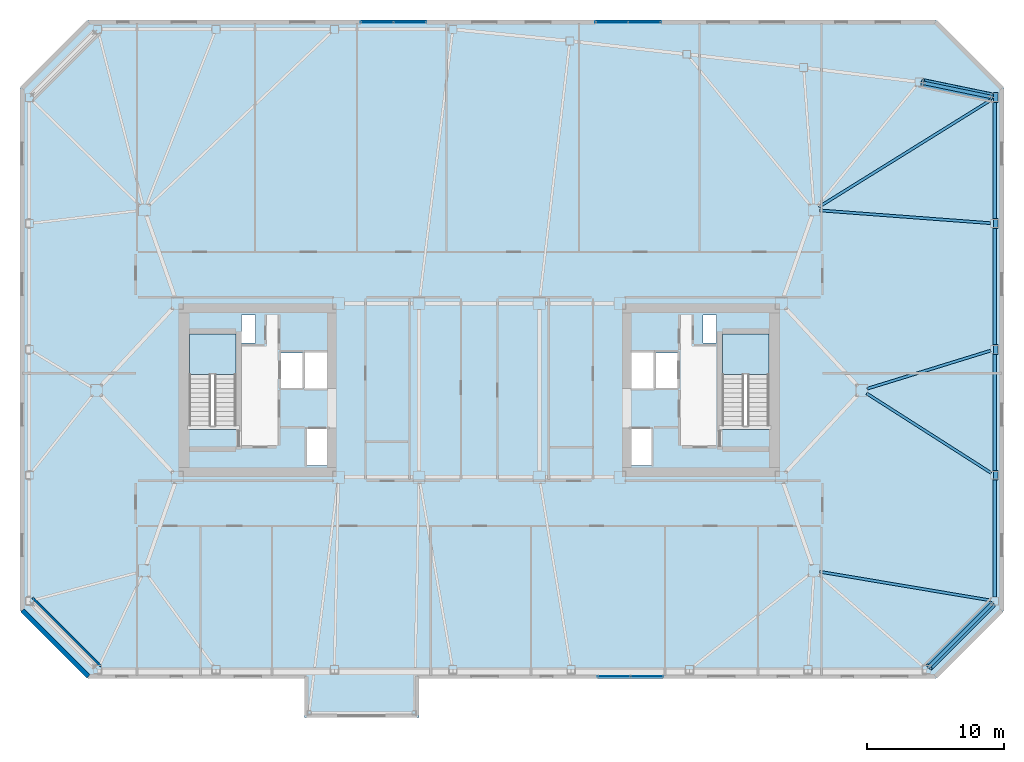
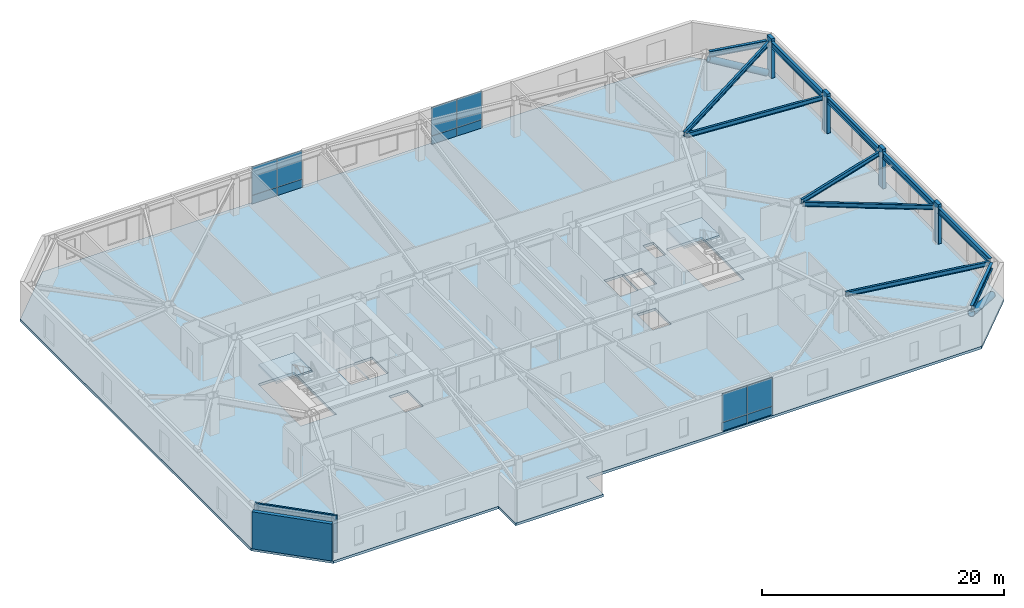
# One storey, part 8 of 16: 12 plates, 11 beams, 6 members, 3 slabs, 2 walls, 5 elements without a shape of their own.
"""IFC4 building model written with IfcOpenShell, lengths in metres."""

from ifc_helpers import new_model, si_unit, direction, frame, frame_2d, origin, origin_2d, place, context, subcontext, project, spatial, polyline, rectangle, hollow_circle, i_section, outline, extrude, material, layer, layer_set, material_profile, profile_set, type_object, element, aggregate, save


model = new_model("IFC4")

# Units and contexts
model_context = context("Model", 3, precision=1e-05, world=origin(), true_north=direction((0.0, 1.0)))
body_context = subcontext(model_context, "Body", "Model", "MODEL_VIEW")
ifc_project = project(units=[si_unit("LENGTHUNIT", "METRE"), si_unit("AREAUNIT", "SQUARE_METRE"), si_unit("VOLUMEUNIT", "CUBIC_METRE"), si_unit("PLANEANGLEUNIT", "RADIAN"), si_unit("MASSUNIT", "GRAM", prefix="KILO")], contexts=[model_context])

# Site, building, storey
site_placement = place(None, origin())
site = spatial("IfcSite", under=ifc_project, at=site_placement, CompositionType="ELEMENT")
building_placement = place(site_placement, origin())
building = spatial("IfcBuilding", under=site, at=building_placement, Name="Tavrogorsk Clinical Tower", CompositionType="ELEMENT")
storey_placement = place(building_placement, frame((0.0, 0.0, 164.199951171875)))
storey = spatial("IfcBuildingStorey", under=building, at=storey_placement, Name="L37", CompositionType="ELEMENT", Elevation=164.199951171875)

# Members
ifc_material_1 = material(Name="Structural steel S440", Category="steel")
ifc_material_profile_1 = material_profile(ifc_material_1, hollow_circle(Radius=0.304931640625, WallThickness=0.02490234375, at=origin_2d()), Name="CHS-610x25")
ifc_profile_set_1 = profile_set([ifc_material_profile_1], Name="Structural steel S440")
member_type_1 = type_object("IfcMemberType", Name="ExoBrace_CHS610", PredefinedType="BRACE", material=ifc_profile_set_1)
member_1_placement = place(storey_placement, frame((37.517333984375, -15.62255859375, 0.4130859375), z_axis=(-0.657738695475, -0.657773644396, 0.3670335696), x_axis=(0.707125566484, -0.70708799539, 0.0)))
element("IfcMember", 1, at=member_1_placement, inside=storey, type_object=member_type_1, Name="L37 Corner Exoskeleton Brace S8-E1", PredefinedType="BRACE", context=body_context, shape_type="SweptSolid", body=[
    extrude(hollow_circle(Radius=0.304931640625, WallThickness=0.02490234375, at=origin_2d()), origin(), (0.0, 0.0, 1.0), 6.985595703125),
])
member_2_placement = place(storey_placement, frame((37.44970703125, 21.47607421875, 0.4365234375), z_axis=(-0.877871206027, 0.181924853718, 0.442996042002), x_axis=(-0.202922555913, -0.979194789764, 0.0)))
element("IfcMember", 2, at=member_2_placement, inside=storey, type_object=member_type_1, Name="L37 Corner Exoskeleton Brace E5-N1", PredefinedType="BRACE", context=body_context, shape_type="SweptSolid", body=[
    extrude(hollow_circle(Radius=0.304931640625, WallThickness=0.02490234375, at=origin_2d()), origin(), (0.0, 0.0, 1.0), 5.681884765625),
])

# Beams
ifc_material_2 = material(Name="Structural steel S355", Category="steel")
ifc_material_profile_2 = material_profile(ifc_material_2, i_section(OverallWidth=0.199951171875, OverallDepth=0.449951171875, WebThickness=0.011474609375, FlangeThickness=0.01806640625, at=origin_2d()), Name="B-450x200x11.5x18")
ifc_profile_set_2 = profile_set([ifc_material_profile_2], Name="Structural steel S355")
beam_type_1 = type_object("IfcBeamType", Name="FloorBeam_B450", PredefinedType="BEAM", material=ifc_profile_set_2)
beam_1_placement = place(storey_placement, frame((24.904296875, -13.267822265625, 3.51513671875), z_axis=(0.98619191169, -0.165606501434, 0.0), x_axis=(0.165606501434, 0.98619191169, 0.0)))
element("IfcBeam", 3, at=beam_1_placement, inside=storey, type_object=beam_type_1, Name="L37 Radial Floor Beam E1", PredefinedType="BEAM", context=body_context, shape_type="SweptSolid", body=[
    extrude(i_section(OverallWidth=0.199951171875, OverallDepth=0.449951171875, WebThickness=0.011474609375, FlangeThickness=0.01806640625, at=origin_2d()), origin(), (0.0, 0.0, 1.0), 12.687255859375),
])
beam_2_placement = place(storey_placement, frame((28.345458984375, -0.220703125, 3.51513671875), z_axis=(0.842695406435, -0.538390612821, 0.0), x_axis=(0.538390612821, 0.842695406435, 0.0)))
element("IfcBeam", 4, at=beam_2_placement, inside=storey, type_object=beam_type_1, Name="L37 Radial Floor Beam E2", PredefinedType="BEAM", context=body_context, shape_type="SweptSolid", body=[
    extrude(i_section(OverallWidth=0.199951171875, OverallDepth=0.449951171875, WebThickness=0.011474609375, FlangeThickness=0.01806640625, at=origin_2d()), origin(), (0.0, 0.0, 1.0), 10.81640625),
])
beam_3_placement = place(storey_placement, frame((28.391845703125, 0.120849609375, 3.51513671875), z_axis=(0.955521252098, 0.294922255499, 0.0), x_axis=(-0.294922255499, 0.955521252098, 0.0)))
element("IfcBeam", 5, at=beam_3_placement, inside=storey, type_object=beam_type_1, Name="L37 Radial Floor Beam E3", PredefinedType="BEAM", context=body_context, shape_type="SweptSolid", body=[
    extrude(i_section(OverallWidth=0.199951171875, OverallDepth=0.449951171875, WebThickness=0.011474609375, FlangeThickness=0.01806640625, at=origin_2d()), origin(), (0.0, 0.0, 1.0), 9.454345703125),
])
beam_4_placement = place(storey_placement, frame((24.908935546875, 13.16943359375, 3.51513671875), z_axis=(0.99720685587, -0.074689267009, 0.0), x_axis=(0.074689267009, 0.99720685587, 0.0)))
element("IfcBeam", 6, at=beam_4_placement, inside=storey, type_object=beam_type_1, Name="L37 Radial Floor Beam E4", PredefinedType="BEAM", context=body_context, shape_type="SweptSolid", body=[
    extrude(i_section(OverallWidth=0.199951171875, OverallDepth=0.449951171875, WebThickness=0.011474609375, FlangeThickness=0.01806640625, at=origin_2d()), origin(), (0.0, 0.0, 1.0), 12.538818359375),
])
beam_5_placement = place(storey_placement, frame((24.84814453125, 13.41650390625, 3.51513671875), z_axis=(0.849226346116, 0.528028988846, 0.0), x_axis=(-0.528028988846, 0.849226346116, 0.0)))
element("IfcBeam", 7, at=beam_5_placement, inside=storey, type_object=beam_type_1, Name="L37 Radial Floor Beam E5", PredefinedType="BEAM", context=body_context, shape_type="SweptSolid", body=[
    extrude(i_section(OverallWidth=0.199951171875, OverallDepth=0.449951171875, WebThickness=0.011474609375, FlangeThickness=0.01806640625, at=origin_2d()), origin(), (0.0, 0.0, 1.0), 14.84912109375),
])

# Members
ifc_material_3 = material(Name="Precast concrete B45 with limestone cladding", Category="masonry")
ifc_material_profile_3 = material_profile(ifc_material_3, rectangle(XDim=0.320068359375, YDim=0.719970703125, at=origin_2d()), Name="LIMESTONE-FIN-320x720")
ifc_profile_set_3 = profile_set([ifc_material_profile_3], Name="Precast concrete B45 with limestone cladding")
member_type_2 = type_object("IfcMemberType", Name="LimestonePleatFin_320x720", PredefinedType="USERDEFINED", material=ifc_profile_set_3)
for number, where, z_axis, x_axis, name in (
    (8, (37.800048828125, -6.2099609375, 0.0), (0.0, 0.0, 1.0), (1.0, 0.0, 0.0), "L37 E Pleated Stone Fin 1"),
    (9, (37.800048828125, 3.0, 0.0), (0.0, 0.0, 1.0), (1.0, 0.0, 0.0), "L37 E Pleated Stone Fin 2"),
    (10, (37.800048828125, 12.2099609375, 0.0), (0.0, 0.0, 1.0), (1.0, 0.0, 0.0), "L37 E Pleated Stone Fin 3"),
    (11, (37.800048828125, 21.419921875, 0.0), (0.0, 0.0, 1.0), (1.0, 0.0, 0.0), "L37 E Pleated Stone Fin 4"),
):
    element("IfcMember", number, at=place(storey_placement, frame(where, z_axis=z_axis, x_axis=x_axis)), inside=storey, type_object=member_type_2, Name=name, ObjectType="FIN", PredefinedType="USERDEFINED", context=body_context, shape_type="SweptSolid", body=[
        extrude(rectangle(XDim=0.320068359375, YDim=0.719970703125, at=origin_2d()), origin(), (0.0, 0.0, 1.0), 4.0),
    ])

# Beams
ifc_material_4 = material(Name="Structural steel S390", Category="steel")
ifc_material_profile_4 = material_profile(ifc_material_4, i_section(OverallWidth=0.260009765625, OverallDepth=0.60009765625, WebThickness=0.014892578125, FlangeThickness=0.02392578125, at=origin_2d()), Name="B-600x260x15x24")
ifc_profile_set_4 = profile_set([ifc_material_profile_4], Name="Structural steel S390")
beam_type_2 = type_object("IfcBeamType", Name="SpandrelBeam_B600", PredefinedType="SPANDREL", material=ifc_profile_set_4)
beam_6_placement = place(storey_placement, frame((32.937744140625, -20.2021484375, 3.43994140625), z_axis=(0.707106781187, 0.707106781187, 0.0), x_axis=(-0.707106781187, 0.707106781187, 0.0)))
element("IfcBeam", 12, at=beam_6_placement, inside=storey, type_object=beam_type_2, Name="L37 Perimeter Spandrel S8-E1", PredefinedType="SPANDREL", context=body_context, shape_type="SweptSolid", body=[
    extrude(i_section(OverallWidth=0.260009765625, OverallDepth=0.60009765625, WebThickness=0.014892578125, FlangeThickness=0.02392578125, at=origin_2d()), origin(), (0.0, 0.0, 1.0), 6.455078125),
])
for number, where, z_axis, x_axis, name in (
    (13, (37.719970703125, -15.112060546875, 3.43994140625), (0.0, 1.0, 0.0), (-1.0, 0.0, 0.0), "L37 Perimeter Spandrel E1-E2"),
    (14, (37.719970703125, -5.902099609375, 3.43994140625), (0.0, 1.0, 0.0), (-1.0, 0.0, 0.0), "L37 Perimeter Spandrel E2-E3"),
    (15, (37.719970703125, 3.30810546875, 3.43994140625), (0.0, 1.0, 0.0), (-1.0, 0.0, 0.0), "L37 Perimeter Spandrel E3-E4"),
    (16, (37.719970703125, 12.51806640625, 3.43994140625), (0.0, 1.0, 0.0), (-1.0, 0.0, 0.0), "L37 Perimeter Spandrel E4-E5"),
):
    element("IfcBeam", number, at=place(storey_placement, frame(where, z_axis=z_axis, x_axis=x_axis)), inside=storey, type_object=beam_type_2, Name=name, PredefinedType="SPANDREL", context=body_context, shape_type="SweptSolid", body=[
        extrude(i_section(OverallWidth=0.260009765625, OverallDepth=0.60009765625, WebThickness=0.014892578125, FlangeThickness=0.02392578125, at=origin_2d()), origin(), (0.0, 0.0, 1.0), 8.593994140625),
    ])
beam_7_placement = place(storey_placement, frame((37.41845703125, 21.482421875, 3.43994140625), z_axis=(-0.979184643877, 0.202971508337, 0.0), x_axis=(-0.202971508337, -0.979184643877, 0.0)))
element("IfcBeam", 17, at=beam_7_placement, inside=storey, type_object=beam_type_2, Name="L37 Perimeter Spandrel E5-N1", PredefinedType="SPANDREL", context=body_context, shape_type="SweptSolid", body=[
    extrude(i_section(OverallWidth=0.260009765625, OverallDepth=0.60009765625, WebThickness=0.014892578125, FlangeThickness=0.02392578125, at=origin_2d()), origin(), (0.0, 0.0, 1.0), 5.0302734375),
])

# Curtain wall, plates
ifc_material_5 = material(Name="Anodised aluminium and triple IGU glazing", Category="aluminium")
ifc_layer_1 = layer(ifc_material_5, 0.179931640625)
ifc_layer_set_1 = layer_set([ifc_layer_1], Name="Anodised aluminium and triple IGU glazing")
curtain_wall_type_1 = type_object("IfcCurtainWallType", Name="CW3_SouthSlot", PredefinedType="NOTDEFINED", material=ifc_layer_set_1)
curtain_wall_1_placement = place(storey_placement, origin())
curtain_wall_1 = element("IfcCurtainWall", 18, at=curtain_wall_1_placement, inside=storey, type_object=curtain_wall_type_1, Name="L37 Curtain Wall CW-L37-S-SLOT-2", PredefinedType="NOTDEFINED")
ifc_material_6 = material(Name="Honed Podolsk limestone spandrel panel", Category="masonry")
ifc_layer_2 = layer(ifc_material_6, 0.080078125)
ifc_layer_set_2 = layer_set([ifc_layer_2], Name="Honed Podolsk limestone spandrel panel")
plate_type_1 = type_object("IfcPlateType", Name="CwSpandrelStonePanel_80", PredefinedType="CURTAIN_PANEL", material=ifc_layer_set_2)
plate_1_placement = place(storey_placement, frame((9.854736328125, -20.929931640625, 0.002197265625), z_axis=(0.0, 0.0, 1.0), x_axis=(1.0, 0.0, 0.0)))
plate_1 = element("IfcPlate", 19, at=plate_1_placement, type_object=plate_type_1, Name="CW-L37-S-SLOT-2 Stone Spandrel Panel 1", PredefinedType="CURTAIN_PANEL", context=body_context, shape_type="SweptSolid", body=[
    extrude(rectangle(XDim=2.39208984375, YDim=0.080078125, at=origin_2d()), origin(), (0.0, 0.0, 1.0), 0.8359375),
])
plate_2_placement = place(storey_placement, frame((12.270751953125, -20.929931640625, 0.002197265625), z_axis=(0.0, 0.0, 1.0), x_axis=(1.0, 0.0, 0.0)))
plate_2 = element("IfcPlate", 20, at=plate_2_placement, type_object=plate_type_1, Name="CW-L37-S-SLOT-2 Stone Spandrel Panel 2", PredefinedType="CURTAIN_PANEL", context=body_context, shape_type="SweptSolid", body=[
    extrude(rectangle(XDim=2.39208984375, YDim=0.080078125, at=origin_2d()), origin(), (0.0, 0.0, 1.0), 0.8359375),
])

ifc_material_7 = material(Name="Anodised aluminium and triple IGU glazing", Category="aluminium")
ifc_layer_3 = layer(ifc_material_7, 0.179931640625)
ifc_layer_set_3 = layer_set([ifc_layer_3], Name="Anodised aluminium and triple IGU glazing")
curtain_wall_type_2 = type_object("IfcCurtainWallType", Name="CW2_NorthSlot", PredefinedType="NOTDEFINED", material=ifc_layer_set_3)
curtain_wall_2_placement = place(storey_placement, origin())
curtain_wall_2 = element("IfcCurtainWall", 21, at=curtain_wall_2_placement, inside=storey, type_object=curtain_wall_type_2, Name="L37 Curtain Wall CW-L37-N-SLOT-1", PredefinedType="NOTDEFINED")
plate_3_placement = place(storey_placement, frame((-5.054931640625, 26.929931640625, 0.002197265625), z_axis=(0.0, 0.0, 1.0), x_axis=(-1.0, 0.0, 0.0)))
plate_3 = element("IfcPlate", 22, at=plate_3_placement, type_object=plate_type_1, Name="CW-L37-N-SLOT-1 Stone Spandrel Panel 1", PredefinedType="CURTAIN_PANEL", context=body_context, shape_type="SweptSolid", body=[
    extrude(rectangle(XDim=2.39208984375, YDim=0.080078125, at=origin_2d()), origin(), (0.0, 0.0, 1.0), 0.8359375),
])
plate_4_placement = place(storey_placement, frame((-7.470947265625, 26.929931640625, 0.002197265625), z_axis=(0.0, 0.0, 1.0), x_axis=(-1.0, 0.0, 0.0)))
plate_4 = element("IfcPlate", 23, at=plate_4_placement, type_object=plate_type_1, Name="CW-L37-N-SLOT-1 Stone Spandrel Panel 2", PredefinedType="CURTAIN_PANEL", context=body_context, shape_type="SweptSolid", body=[
    extrude(rectangle(XDim=2.39208984375, YDim=0.080078125, at=origin_2d()), origin(), (0.0, 0.0, 1.0), 0.8359375),
])

curtain_wall_3_placement = place(storey_placement, origin())
curtain_wall_3 = element("IfcCurtainWall", 24, at=curtain_wall_3_placement, inside=storey, type_object=curtain_wall_type_2, Name="L37 Curtain Wall CW-L37-N-SLOT-2", PredefinedType="NOTDEFINED")
plate_5_placement = place(storey_placement, frame((12.1181640625, 26.929931640625, 0.002197265625), z_axis=(0.0, 0.0, 1.0), x_axis=(-1.0, 0.0, 0.0)))
plate_5 = element("IfcPlate", 25, at=plate_5_placement, type_object=plate_type_1, Name="CW-L37-N-SLOT-2 Stone Spandrel Panel 1", PredefinedType="CURTAIN_PANEL", context=body_context, shape_type="SweptSolid", body=[
    extrude(rectangle(XDim=2.39208984375, YDim=0.080078125, at=origin_2d()), origin(), (0.0, 0.0, 1.0), 0.8359375),
])
plate_6_placement = place(storey_placement, frame((9.7021484375, 26.929931640625, 0.002197265625), z_axis=(0.0, 0.0, 1.0), x_axis=(-1.0, 0.0, 0.0)))
plate_6 = element("IfcPlate", 26, at=plate_6_placement, type_object=plate_type_1, Name="CW-L37-N-SLOT-2 Stone Spandrel Panel 2", PredefinedType="CURTAIN_PANEL", context=body_context, shape_type="SweptSolid", body=[
    extrude(rectangle(XDim=2.39208984375, YDim=0.080078125, at=origin_2d()), origin(), (0.0, 0.0, 1.0), 0.8359375),
])

# Plate
ifc_material_8 = material(Name="Triple low-E argon insulated glass", Category="glass")
ifc_layer_4 = layer(ifc_material_8, 0.048095703125)
ifc_layer_set_4 = layer_set([ifc_layer_4], Name="Triple low-E argon insulated glass")
plate_type_2 = type_object("IfcPlateType", Name="CwVisionGlassPanel_48", PredefinedType="CURTAIN_PANEL", material=ifc_layer_set_4)
plate_7_placement = place(storey_placement, frame((9.854736328125, -20.929931640625, 0.862060546875), z_axis=(0.0, 0.0, 1.0), x_axis=(1.0, 0.0, 0.0)))
plate_7 = element("IfcPlate", 27, at=plate_7_placement, type_object=plate_type_2, Name="CW-L37-S-SLOT-2 Glazing Panel 1", PredefinedType="CURTAIN_PANEL", context=body_context, shape_type="SweptSolid", body=[
    extrude(rectangle(XDim=2.39208984375, YDim=0.048095703125, at=origin_2d()), origin(), (0.0, 0.0, 1.0), 2.8759765625),
])

plate_8_placement = place(storey_placement, frame((12.270751953125, -20.929931640625, 0.862060546875), z_axis=(0.0, 0.0, 1.0), x_axis=(1.0, 0.0, 0.0)))
plate_8 = element("IfcPlate", 28, at=plate_8_placement, type_object=plate_type_2, Name="CW-L37-S-SLOT-2 Glazing Panel 2", PredefinedType="CURTAIN_PANEL", context=body_context, shape_type="SweptSolid", body=[
    extrude(rectangle(XDim=2.39208984375, YDim=0.048095703125, at=origin_2d()), origin(), (0.0, 0.0, 1.0), 2.8759765625),
])

aggregate(curtain_wall_1, [plate_1, plate_7, plate_2, plate_8])

plate_9_placement = place(storey_placement, frame((-5.054931640625, 26.929931640625, 0.862060546875), z_axis=(0.0, 0.0, 1.0), x_axis=(-1.0, 0.0, 0.0)))
plate_9 = element("IfcPlate", 29, at=plate_9_placement, type_object=plate_type_2, Name="CW-L37-N-SLOT-1 Glazing Panel 1", PredefinedType="CURTAIN_PANEL", context=body_context, shape_type="SweptSolid", body=[
    extrude(rectangle(XDim=2.39208984375, YDim=0.048095703125, at=origin_2d()), origin(), (0.0, 0.0, 1.0), 2.8759765625),
])

plate_10_placement = place(storey_placement, frame((-7.470947265625, 26.929931640625, 0.862060546875), z_axis=(0.0, 0.0, 1.0), x_axis=(-1.0, 0.0, 0.0)))
plate_10 = element("IfcPlate", 30, at=plate_10_placement, type_object=plate_type_2, Name="CW-L37-N-SLOT-1 Glazing Panel 2", PredefinedType="CURTAIN_PANEL", context=body_context, shape_type="SweptSolid", body=[
    extrude(rectangle(XDim=2.39208984375, YDim=0.048095703125, at=origin_2d()), origin(), (0.0, 0.0, 1.0), 2.8759765625),
])

aggregate(curtain_wall_2, [plate_3, plate_9, plate_4, plate_10])

plate_11_placement = place(storey_placement, frame((12.1181640625, 26.929931640625, 0.862060546875), z_axis=(0.0, 0.0, 1.0), x_axis=(-1.0, 0.0, 0.0)))
plate_11 = element("IfcPlate", 31, at=plate_11_placement, type_object=plate_type_2, Name="CW-L37-N-SLOT-2 Glazing Panel 1", PredefinedType="CURTAIN_PANEL", context=body_context, shape_type="SweptSolid", body=[
    extrude(rectangle(XDim=2.39208984375, YDim=0.048095703125, at=origin_2d()), origin(), (0.0, 0.0, 1.0), 2.8759765625),
])

plate_12_placement = place(storey_placement, frame((9.7021484375, 26.929931640625, 0.862060546875), z_axis=(0.0, 0.0, 1.0), x_axis=(-1.0, 0.0, 0.0)))
plate_12 = element("IfcPlate", 32, at=plate_12_placement, type_object=plate_type_2, Name="CW-L37-N-SLOT-2 Glazing Panel 2", PredefinedType="CURTAIN_PANEL", context=body_context, shape_type="SweptSolid", body=[
    extrude(rectangle(XDim=2.39208984375, YDim=0.048095703125, at=origin_2d()), origin(), (0.0, 0.0, 1.0), 2.8759765625),
])

aggregate(curtain_wall_3, [plate_5, plate_11, plate_6, plate_12])

# Stair, slab
ifc_material_9 = material(Name="Concrete B60", Category="concrete")
stair_type = type_object("IfcStairType", Name="CoreStairAssembly", PredefinedType="HALF_TURN_STAIR", material=ifc_material_9)
stair_1_placement = place(storey_placement, origin())
stair_1 = element("IfcStair", 33, at=stair_1_placement, inside=storey, type_object=stair_type, Name="L37 ST-W", PredefinedType="HALF_TURN_STAIR")
ifc_material_10 = material(Name="Concrete B60", Category="concrete")
ifc_layer_5 = layer(ifc_material_10, 0.199951171875)
ifc_layer_set_5 = layer_set([ifc_layer_5], Name="Concrete B60")
slab_type_1 = type_object("IfcSlabType", Name="StairLanding_200", PredefinedType="LANDING", material=ifc_layer_set_5)
slab_1_placement = place(storey_placement, frame((0.0, 0.0, 1.800048828125)))
slab_1 = element("IfcSlab", 34, at=slab_1_placement, type_object=slab_type_1, Name="ST-W landing 1", PredefinedType="LANDING", context=body_context, shape_type="SweptSolid", body=[
    extrude(outline(polyline([(-17.800048828125, 1.1650390625), (-17.800048828125, 4.125), (-21.199951171875, 4.125), (-21.199951171875, 1.1650390625), (-17.800048828125, 1.1650390625)])), origin(), (0.0, 0.0, 1.0), 0.199951171875),
])
aggregate(stair_1, [slab_1])

stair_2_placement = place(storey_placement, origin())
stair_2 = element("IfcStair", 35, at=stair_2_placement, inside=storey, type_object=stair_type, Name="L37 ST-E", PredefinedType="HALF_TURN_STAIR")
slab_2_placement = place(storey_placement, frame((0.0, 0.0, 1.800048828125)))
slab_2 = element("IfcSlab", 36, at=slab_2_placement, type_object=slab_type_1, Name="ST-E landing 1", PredefinedType="LANDING", context=body_context, shape_type="SweptSolid", body=[
    extrude(outline(polyline([(21.199951171875, 1.1650390625), (21.199951171875, 4.125), (17.800048828125, 4.125), (17.800048828125, 1.1650390625), (21.199951171875, 1.1650390625)])), origin(), (0.0, 0.0, 1.0), 0.199951171875),
])
aggregate(stair_2, [slab_2])

# Slab
ifc_material_11 = material(Name="Concrete B60", Category="concrete")
ifc_layer_6 = layer(ifc_material_11, 0.260009765625)
ifc_layer_set_6 = layer_set([ifc_layer_6], Name="Concrete B60")
slab_type_2 = type_object("IfcSlabType", Name="WardSlab_260", PredefinedType="FLOOR", material=ifc_layer_set_6)
slab_3_placement = place(storey_placement, frame((0.0, 0.0, -0.260009765625)))
element("IfcSlab", 37, at=slab_3_placement, inside=storey, type_object=slab_type_2, Name="L37 Structural Slab", PredefinedType="FLOOR", context=body_context, shape_type="SweptSolid", body=[
    extrude(outline(polyline([(-28.60009765625, -21.10009765625), (-33.60009765625, -16.10009765625), (-33.60009765625, 22.10009765625), (-28.60009765625, 27.10009765625), (33.39990234375, 27.10009765625), (38.39990234375, 22.10009765625), (38.39990234375, -16.10009765625), (33.39990234375, -21.10009765625), (-4.39990234375, -21.10009765625), (-4.39990234375, -23.949951171875), (-12.800048828125, -23.949951171875), (-12.800048828125, -21.10009765625), (-28.60009765625, -21.10009765625)]), holes=[polyline([(-17.800048828125, -2.8798828125), (-17.800048828125, 4.125), (-21.199951171875, 4.125), (-21.199951171875, -2.8798828125), (-17.800048828125, -2.8798828125)]), polyline([(21.199951171875, -2.8798828125), (21.199951171875, 4.125), (17.800048828125, 4.125), (17.800048828125, -2.8798828125), (21.199951171875, -2.8798828125)]), polyline([(-14.6201171875, 0.169921875), (-12.860107421875, 0.169921875), (-12.860107421875, 2.72998046875), (-14.6201171875, 2.72998046875), (-14.6201171875, 0.169921875)]), polyline([(-12.72998046875, -5.47998046875), (-10.969970703125, -5.47998046875), (-10.969970703125, -2.820068359375), (-12.72998046875, -2.820068359375), (-12.72998046875, -5.47998046875)]), polyline([(-12.840087890625, 0.1201171875), (-11.080078125, 0.1201171875), (-11.080078125, 2.780029296875), (-12.840087890625, 2.780029296875), (-12.840087890625, 0.1201171875)]), polyline([(12.860107421875, 0.169921875), (14.6201171875, 0.169921875), (14.6201171875, 2.72998046875), (12.860107421875, 2.72998046875), (12.860107421875, 0.169921875)]), polyline([(10.969970703125, -5.47998046875), (12.72998046875, -5.47998046875), (12.72998046875, -2.820068359375), (10.969970703125, -2.820068359375), (10.969970703125, -5.47998046875)]), polyline([(11.080078125, 0.1201171875), (12.840087890625, 0.1201171875), (12.840087890625, 2.780029296875), (11.080078125, 2.780029296875), (11.080078125, 0.1201171875)]), polyline([(-17.3798828125, 3.449951171875), (-16.3798828125, 3.449951171875), (-16.3798828125, 5.5), (-17.3798828125, 5.5), (-17.3798828125, 3.449951171875)]), polyline([(16.3798828125, 3.449951171875), (17.3798828125, 3.449951171875), (17.3798828125, 5.5), (16.3798828125, 5.5), (16.3798828125, 3.449951171875)])]), origin(), (0.0, 0.0, 1.0), 0.260009765625),
])

# Walls
ifc_material_12 = material(Name="Lightweight concrete blockwork B15", Category="masonry")
ifc_layer_7 = layer(ifc_material_12, 0.159912109375)
ifc_layer_set_7 = layer_set([ifc_layer_7], Name="Lightweight concrete blockwork B15")
wall_type_1 = type_object("IfcWallType", Name="PartitionWall_160", PredefinedType="PARTITIONING", material=ifc_layer_set_7)
wall_1_placement = place(storey_placement, frame((-32.6796875, -15.1796875, 0.0), z_axis=(0.0, 0.0, 1.0), x_axis=(0.707106781187, -0.707106781187, 0.0)))
element("IfcWall", 38, at=wall_1_placement, inside=storey, type_object=wall_type_1, Name="L37 Corner Exoskeleton Brace Furring Wall 4", PredefinedType="PARTITIONING", context=body_context, shape_type="SweptSolid", body=[
    extrude(rectangle(XDim=7.071044921875, YDim=0.159912109375, at=frame_2d((3.53564453125, 0.0))), origin(), (0.0, 0.0, 1.0), 3.739990234375),
])
ifc_material_13 = material(Name="Precast concrete B45 with limestone cladding", Category="masonry")
ifc_layer_8 = layer(ifc_material_13, 0.340087890625)
ifc_layer_set_8 = layer_set([ifc_layer_8], Name="Precast concrete B45 with limestone cladding")
wall_type_2 = type_object("IfcWallType", Name="PrecastLimestoneWall_340", PredefinedType="STANDARD", material=ifc_layer_set_8)
wall_2_placement = place(storey_placement, frame((-33.429931640625, -16.10009765625, 0.0), z_axis=(0.0, 0.0, 1.0), x_axis=(0.707106781187, -0.707106781187, 0.0)))
element("IfcWall", 39, at=wall_2_placement, inside=storey, type_object=wall_type_2, Name="L37 Chamfered Corner Wall 4", PredefinedType="STANDARD", context=body_context, shape_type="SweptSolid", body=[
    extrude(rectangle(XDim=6.830322265625, YDim=0.340087890625, at=frame_2d((3.4150390625, 0.0))), origin(), (0.0, 0.0, 1.0), 3.739990234375),
])

save(model, "model.ifc")
